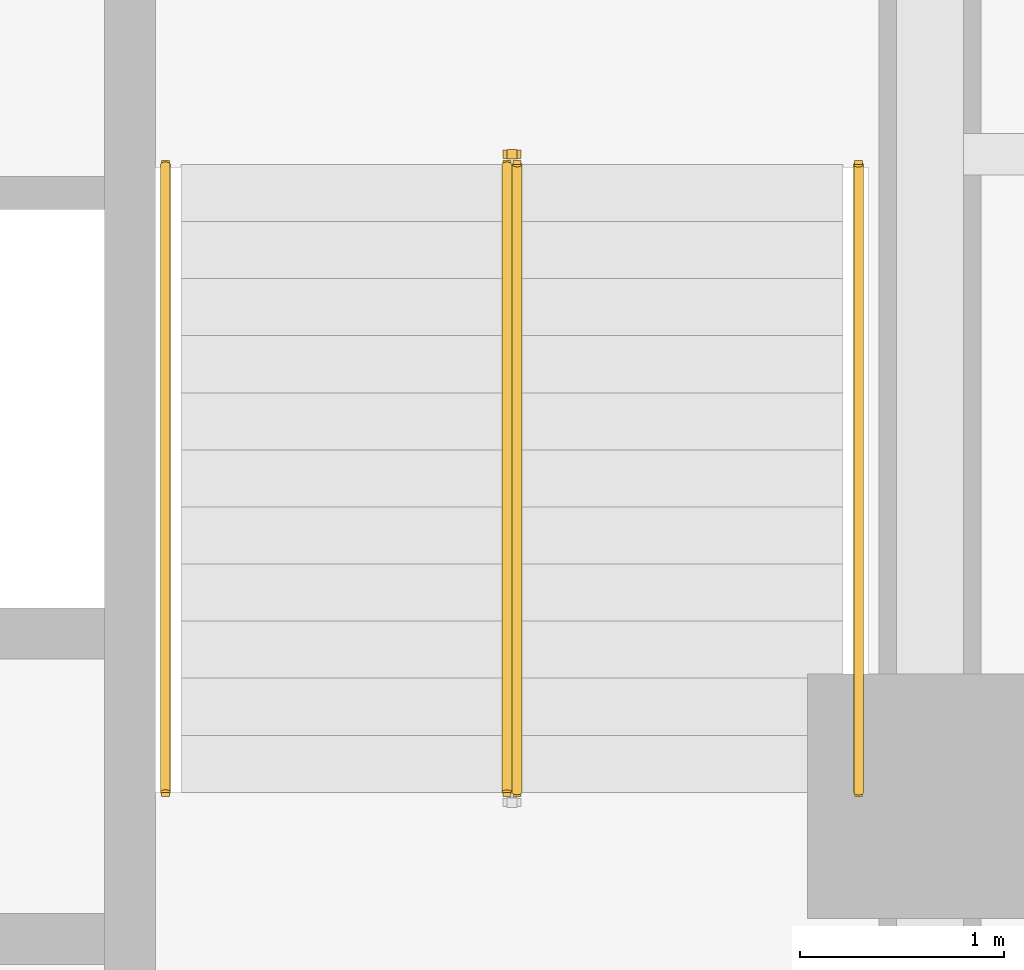
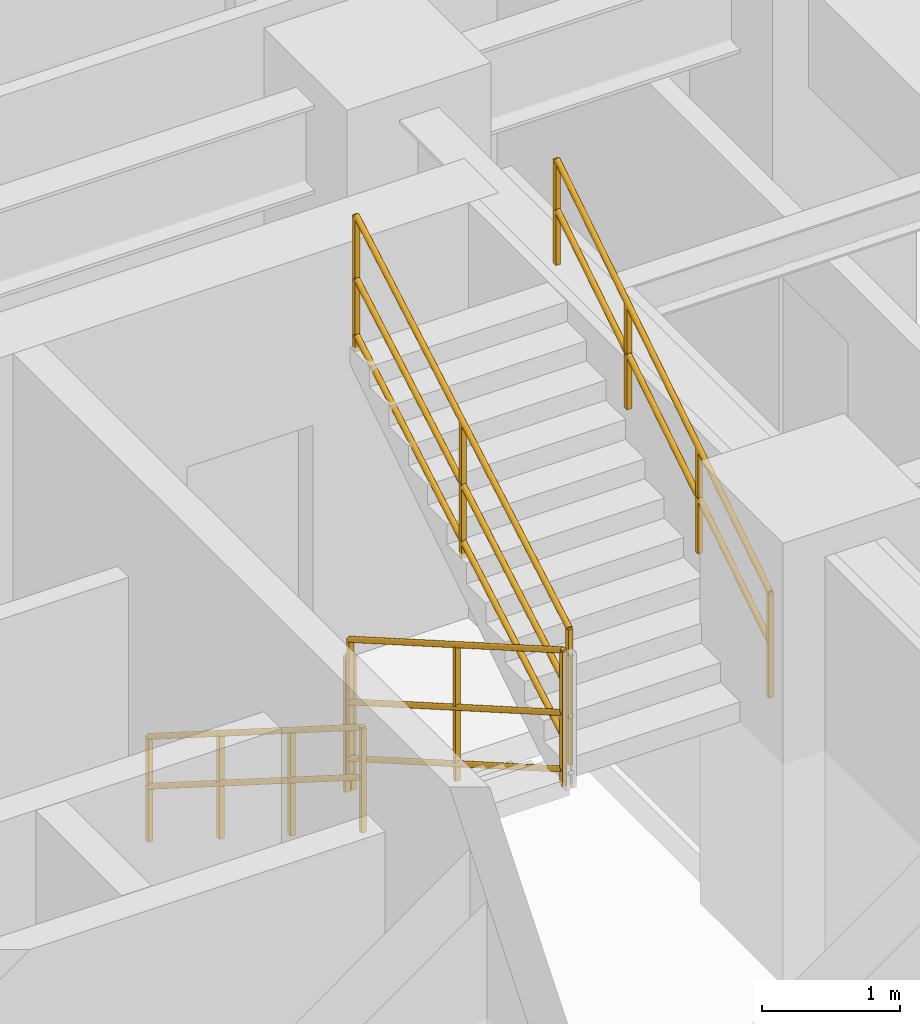
# One storey, part 8 of 9: 5 railings.
"""IFC4 building model written with IfcOpenShell, lengths in metres."""

from ifc_helpers import new_model, entity, si_unit, converted_unit, direction, frame, origin_with_axes, origin_2d_with_axis, place, context, subcontext, project, spatial, rectangle, circle, extrude, material, type_object, element, save


model = new_model("IFC4")

# Units and contexts
model_context = context("Model", 3, precision=1e-05, world=origin_with_axes(), true_north=direction((0.0, 1.0)))
body_context = subcontext(model_context, "Body", "Model", "MODEL_VIEW")
ifc_project = project(units=[si_unit("LENGTHUNIT", "METRE"), si_unit("AREAUNIT", "SQUARE_METRE"), si_unit("VOLUMEUNIT", "CUBIC_METRE"), converted_unit("PLANEANGLEUNIT", "DEGREE", entity("IfcPlaneAngleMeasure", 0.017453292519943295), si_unit("PLANEANGLEUNIT", "RADIAN"), dimensions=[0, 0, 0, 0, 0, 0, 0]), si_unit("MASSUNIT", "GRAM", prefix="KILO"), si_unit("THERMODYNAMICTEMPERATUREUNIT", "KELVIN")], contexts=[model_context])

# Site, building, storey
site_placement = place(None, origin_with_axes())
site = spatial("IfcSite", under=ifc_project, at=site_placement, CompositionType="ELEMENT")
building_placement = place(site_placement, origin_with_axes())
building = spatial("IfcBuilding", under=site, at=building_placement, Name="Varnlund Millrace Tower", CompositionType="ELEMENT")
storey_placement = place(building_placement, frame((0.0, 0.0, 96.9), z_axis=(0.0, 0.0, 1.0), x_axis=(1.0, 0.0, 0.0)))
storey = spatial("IfcBuildingStorey", under=building, at=storey_placement, Name="L23", CompositionType="ELEMENT", Elevation=96.9)

# Railings
ifc_material_1 = material(Name="Painted steel stair well balustrade guard", Category="steel")
railing_type_1 = type_object("IfcRailingType", Name="Type-StairGuard-1150", PredefinedType="GUARDRAIL", material=ifc_material_1)
railing_1_placement = place(storey_placement, frame((0.0, 0.0, -96.9), z_axis=(0.0, 0.0, 1.0), x_axis=(1.0, 0.0, 0.0)))
element("IfcRailing", 1, at=railing_1_placement, inside=storey, type_object=railing_type_1, Name="Type-StairGuard-1150", PredefinedType="GUARDRAIL", context=body_context, shape_type="SweptSolid", body=[
    extrude(circle(Radius=0.024, at=origin_2d_with_axis()), frame((45.975, 21.1, 98.227273), z_axis=(0.0, -0.866696, 0.498836), x_axis=(1.0, 0.0, 0.0)), (0.0, 0.0, 1.0), 3.553725),
    extrude(circle(Radius=0.024, at=origin_2d_with_axis()), frame((45.975, 21.1, 97.177273), z_axis=(0.0, -0.866696, 0.498836), x_axis=(1.0, 0.0, 0.0)), (0.0, 0.0, 1.0), 3.553725),
    extrude(circle(Radius=0.024, at=origin_2d_with_axis()), frame((45.975, 21.1, 97.675273), z_axis=(0.0, -0.866696, 0.498836), x_axis=(1.0, 0.0, 0.0)), (0.0, 0.0, 1.0), 3.553725),
    extrude(rectangle(XDim=0.04, YDim=0.04, at=origin_2d_with_axis()), frame((45.975, 21.1, 97.037273), z_axis=(0.0, 0.0, 1.0), x_axis=(1.0, 0.0, 0.0)), (0.0, 0.0, 1.0), 1.19),
    extrude(rectangle(XDim=0.04, YDim=0.04, at=origin_2d_with_axis()), frame((45.975, 19.56, 97.923636), z_axis=(0.0, 0.0, 1.0), x_axis=(1.0, 0.0, 0.0)), (0.0, 0.0, 1.0), 1.19),
    extrude(rectangle(XDim=0.04, YDim=0.04, at=origin_2d_with_axis()), frame((45.975, 18.02, 98.81), z_axis=(0.0, 0.0, 1.0), x_axis=(1.0, 0.0, 0.0)), (0.0, 0.0, 1.0), 1.19),
])
railing_2_placement = place(storey_placement, frame((0.0, 0.0, -96.9), z_axis=(0.0, 0.0, 1.0), x_axis=(1.0, 0.0, 0.0)))
element("IfcRailing", 2, at=railing_2_placement, inside=storey, type_object=railing_type_1, Name="Type-StairGuard-1150", PredefinedType="GUARDRAIL", context=body_context, shape_type="SweptSolid", body=[
    extrude(circle(Radius=0.024, at=origin_2d_with_axis()), frame((46.025, 18.02, 100.177273), z_axis=(0.0, 0.866696, 0.498836), x_axis=(-1.0, 0.0, 0.0)), (0.0, 0.0, 1.0), 3.553725),
    extrude(circle(Radius=0.024, at=origin_2d_with_axis()), frame((46.025, 18.02, 99.127273), z_axis=(0.0, 0.866696, 0.498836), x_axis=(-1.0, 0.0, 0.0)), (0.0, 0.0, 1.0), 3.553725),
    extrude(circle(Radius=0.024, at=origin_2d_with_axis()), frame((46.025, 18.02, 99.625273), z_axis=(0.0, 0.866696, 0.498836), x_axis=(-1.0, 0.0, 0.0)), (0.0, 0.0, 1.0), 3.553725),
    extrude(rectangle(XDim=0.04, YDim=0.04, at=origin_2d_with_axis()), frame((46.025, 18.02, 98.987273), z_axis=(0.0, 0.0, 1.0), x_axis=(1.0, 0.0, 0.0)), (0.0, 0.0, 1.0), 1.19),
    extrude(rectangle(XDim=0.04, YDim=0.04, at=origin_2d_with_axis()), frame((46.025, 19.56, 99.873636), z_axis=(0.0, 0.0, 1.0), x_axis=(1.0, 0.0, 0.0)), (0.0, 0.0, 1.0), 1.19),
    extrude(rectangle(XDim=0.04, YDim=0.04, at=origin_2d_with_axis()), frame((46.025, 21.1, 100.76), z_axis=(0.0, 0.0, 1.0), x_axis=(1.0, 0.0, 0.0)), (0.0, 0.0, 1.0), 1.19),
])
railing_3_placement = place(storey_placement, frame((0.0, 0.0, -96.9), z_axis=(0.0, 0.0, 1.0), x_axis=(1.0, 0.0, 0.0)))
element("IfcRailing", 3, at=railing_3_placement, inside=storey, type_object=railing_type_1, Name="Type-StairGuard-1150", PredefinedType="GUARDRAIL", context=body_context, shape_type="SweptSolid", body=[
    extrude(circle(Radius=0.024, at=origin_2d_with_axis()), frame((46.025, 21.15, 98.05), z_axis=(-1.0, 0.0, 0.0), x_axis=(0.0, -1.0, 0.0)), (0.0, 0.0, 1.0), 0.05),
    extrude(circle(Radius=0.024, at=origin_2d_with_axis()), frame((46.025, 21.15, 97.0), z_axis=(-1.0, 0.0, 0.0), x_axis=(0.0, -1.0, 0.0)), (0.0, 0.0, 1.0), 0.05),
    extrude(circle(Radius=0.024, at=origin_2d_with_axis()), frame((46.025, 21.15, 97.498), z_axis=(-1.0, 0.0, 0.0), x_axis=(0.0, -1.0, 0.0)), (0.0, 0.0, 1.0), 0.05),
    extrude(rectangle(XDim=0.04, YDim=0.04, at=origin_2d_with_axis()), frame((46.025, 21.15, 96.86), z_axis=(0.0, 0.0, 1.0), x_axis=(1.0, 0.0, 0.0)), (0.0, 0.0, 1.0), 1.19),
    extrude(rectangle(XDim=0.04, YDim=0.04, at=origin_2d_with_axis()), frame((45.975, 21.15, 96.86), z_axis=(0.0, 0.0, 1.0), x_axis=(1.0, 0.0, 0.0)), (0.0, 0.0, 1.0), 1.19),
])
ifc_material_2 = material(Name="Brushed architectural bronze stair handrail", Category="aluminium")
railing_type_2 = type_object("IfcRailingType", Name="Type-StairHandrail-900", PredefinedType="HANDRAIL", material=ifc_material_2)
railing_4_placement = place(storey_placement, frame((0.0, 0.0, -96.9), z_axis=(0.0, 0.0, 1.0), x_axis=(1.0, 0.0, 0.0)))
element("IfcRailing", 4, at=railing_4_placement, inside=storey, type_object=railing_type_2, Name="Type-StairHandrail-900", PredefinedType="HANDRAIL", context=body_context, shape_type="SweptSolid", body=[
    extrude(circle(Radius=0.024, at=origin_2d_with_axis()), frame((44.3, 21.1, 97.956995), z_axis=(0.0, -0.844902, 0.534922), x_axis=(1.0, 0.0, 0.0)), (0.0, 0.0, 1.0), 3.645394),
    extrude(circle(Radius=0.024, at=origin_2d_with_axis()), frame((44.3, 21.1, 97.517134), z_axis=(0.0, -0.844902, 0.534922), x_axis=(1.0, 0.0, 0.0)), (0.0, 0.0, 1.0), 3.645394),
    extrude(rectangle(XDim=0.04, YDim=0.04, at=origin_2d_with_axis()), frame((44.3, 21.1, 97.037273), z_axis=(0.0, 0.0, 1.0), x_axis=(1.0, 0.0, 0.0)), (0.0, 0.0, 1.0), 0.919722),
    extrude(rectangle(XDim=0.04, YDim=0.04, at=origin_2d_with_axis()), frame((44.3, 20.073333, 97.687273), z_axis=(0.0, 0.0, 1.0), x_axis=(1.0, 0.0, 0.0)), (0.0, 0.0, 1.0), 0.919722),
    extrude(rectangle(XDim=0.04, YDim=0.04, at=origin_2d_with_axis()), frame((44.3, 19.046667, 98.337273), z_axis=(0.0, 0.0, 1.0), x_axis=(1.0, 0.0, 0.0)), (0.0, 0.0, 1.0), 0.919722),
    extrude(rectangle(XDim=0.04, YDim=0.04, at=origin_2d_with_axis()), frame((44.3, 18.02, 98.987273), z_axis=(0.0, 0.0, 1.0), x_axis=(1.0, 0.0, 0.0)), (0.0, 0.0, 1.0), 0.919722),
])
railing_5_placement = place(storey_placement, frame((0.0, 0.0, -96.9), z_axis=(0.0, 0.0, 1.0), x_axis=(1.0, 0.0, 0.0)))
element("IfcRailing", 5, at=railing_5_placement, inside=storey, type_object=railing_type_2, Name="Type-StairHandrail-900", PredefinedType="HANDRAIL", context=body_context, shape_type="SweptSolid", body=[
    extrude(circle(Radius=0.024, at=origin_2d_with_axis()), frame((47.7, 18.02, 99.906995), z_axis=(0.0, 0.844902, 0.534922), x_axis=(-1.0, 0.0, 0.0)), (0.0, 0.0, 1.0), 3.645394),
    extrude(circle(Radius=0.024, at=origin_2d_with_axis()), frame((47.7, 18.02, 99.467134), z_axis=(0.0, 0.844902, 0.534922), x_axis=(-1.0, 0.0, 0.0)), (0.0, 0.0, 1.0), 3.645394),
    extrude(rectangle(XDim=0.04, YDim=0.04, at=origin_2d_with_axis()), frame((47.7, 18.02, 98.987273), z_axis=(0.0, 0.0, 1.0), x_axis=(1.0, 0.0, 0.0)), (0.0, 0.0, 1.0), 0.919722),
    extrude(rectangle(XDim=0.04, YDim=0.04, at=origin_2d_with_axis()), frame((47.7, 19.046667, 99.637273), z_axis=(0.0, 0.0, 1.0), x_axis=(1.0, 0.0, 0.0)), (0.0, 0.0, 1.0), 0.919722),
    extrude(rectangle(XDim=0.04, YDim=0.04, at=origin_2d_with_axis()), frame((47.7, 20.073333, 100.287273), z_axis=(0.0, 0.0, 1.0), x_axis=(1.0, 0.0, 0.0)), (0.0, 0.0, 1.0), 0.919722),
    extrude(rectangle(XDim=0.04, YDim=0.04, at=origin_2d_with_axis()), frame((47.7, 21.1, 100.937273), z_axis=(0.0, 0.0, 1.0), x_axis=(1.0, 0.0, 0.0)), (0.0, 0.0, 1.0), 0.919722),
])

save(model, "model.ifc")
